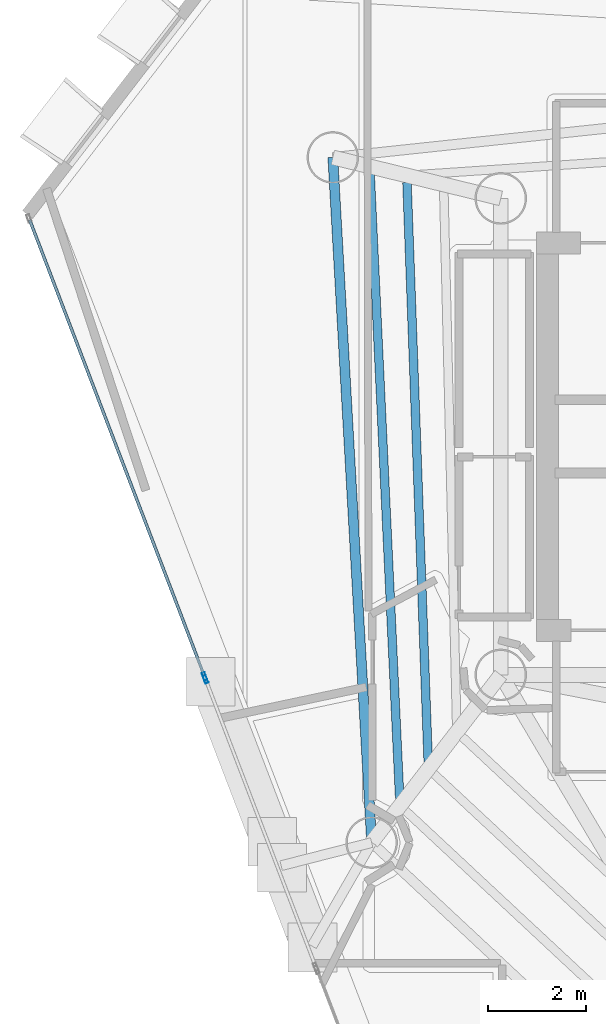
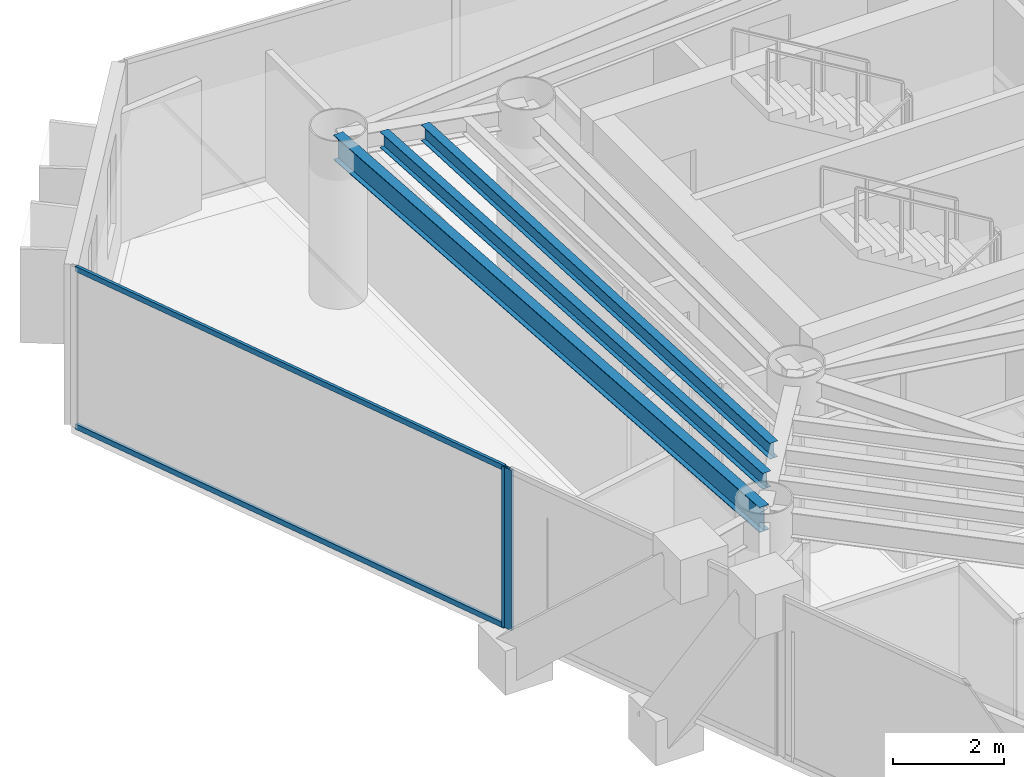
# One storey, part 7 of 20: 4 members, 3 beams, 2 elements without a shape of their own.
"""IFC4 building model written with IfcOpenShell, lengths in metres."""

from ifc_helpers import new_model, si_unit, direction, frame, origin, origin_2d, place, context, subcontext, project, spatial, hollow_rectangle, i_section, extrude, material, layer, layer_set, material_profile, profile_set, type_object, element, aggregate, save


model = new_model("IFC4")

# Units and contexts
model_context = context("Model", 3, precision=1e-05, world=origin(), true_north=direction((0.0, 1.0)))
body_context = subcontext(model_context, "Body", "Model", "MODEL_VIEW")
ifc_project = project(units=[si_unit("LENGTHUNIT", "METRE"), si_unit("AREAUNIT", "SQUARE_METRE"), si_unit("VOLUMEUNIT", "CUBIC_METRE"), si_unit("PLANEANGLEUNIT", "RADIAN"), si_unit("MASSUNIT", "GRAM", prefix="KILO")], contexts=[model_context])

# Site, building, storey
site_placement = place(None, origin())
site = spatial("IfcSite", under=ifc_project, at=site_placement, CompositionType="ELEMENT")
building_placement = place(site_placement, origin())
building = spatial("IfcBuilding", under=site, at=building_placement, Name="Qianvela Tower", CompositionType="ELEMENT")
storey_placement = place(building_placement, frame((0.0, 0.0, 239.0)))
storey = spatial("IfcBuildingStorey", under=building, at=storey_placement, Name="L61", CompositionType="ELEMENT", Elevation=239.0)

# Beams
ifc_material_1 = material(Name="Steel Q355B", Category="steel")
ifc_material_profile_1 = material_profile(ifc_material_1, i_section(OverallWidth=0.175048828125, OverallDepth=0.35009765625, WebThickness=0.007080078125, FlangeThickness=0.010986328125, at=origin_2d()), Name="HN350x175x7x11")
ifc_profile_set_1 = profile_set([ifc_material_profile_1], Name="Steel Q355B")
beam_type_1 = type_object("IfcBeamType", Name="BM-HN350-JOIST", PredefinedType="JOIST", material=ifc_profile_set_1)
beam_1_placement = place(storey_placement, frame((26.69140625, 33.87109375, 3.343017578125), z_axis=(0.036597460417, -0.999330088555, 0.0), x_axis=(0.999330088555, 0.036597460417, 0.0)))
element("IfcBeam", 1, at=beam_1_placement, inside=storey, type_object=beam_type_1, Name="L61 Secondary Composite Floor Joist 3.2", PredefinedType="JOIST", context=body_context, shape_type="SweptSolid", body=[
    extrude(i_section(OverallWidth=0.175048828125, OverallDepth=0.35009765625, WebThickness=0.007080078125, FlangeThickness=0.010986328125, at=origin_2d()), origin(), (0.0, 0.0, 1.0), 11.794189453125),
])
beam_2_placement = place(storey_placement, frame((25.94091796875, 34.0546875, 3.343017578125), z_axis=(0.04729372403, -0.998881025782, 0.0), x_axis=(0.998881025782, 0.04729372403, 0.0)))
element("IfcBeam", 2, at=beam_2_placement, inside=storey, type_object=beam_type_1, Name="L61 Secondary Composite Floor Joist 3.3", PredefinedType="JOIST", context=body_context, shape_type="SweptSolid", body=[
    extrude(i_section(OverallWidth=0.175048828125, OverallDepth=0.35009765625, WebThickness=0.007080078125, FlangeThickness=0.010986328125, at=origin_2d()), origin(), (0.0, 0.0, 1.0), 12.735107421875),
])
ifc_material_2 = material(Name="Steel Q355B", Category="steel")
ifc_material_profile_2 = material_profile(ifc_material_2, i_section(OverallWidth=0.199951171875, OverallDepth=0.550048828125, WebThickness=0.010009765625, FlangeThickness=0.01611328125, at=origin_2d()), Name="HN550x200x10x16")
ifc_profile_set_2 = profile_set([ifc_material_profile_2], Name="Steel Q355B")
beam_type_2 = type_object("IfcBeamType", Name="BM-HN550-GIRD", PredefinedType="BEAM", material=ifc_profile_set_2)
beam_3_placement = place(storey_placement, frame((25.181884765625, 34.384033203125, 3.242919921875), z_axis=(0.056555056691, -0.998399481952, 0.0), x_axis=(0.998399481952, 0.056555056691, 0.0)))
element("IfcBeam", 3, at=beam_3_placement, inside=storey, type_object=beam_type_2, Name="L61 Perimeter Ring Spandrel Girder 3", PredefinedType="BEAM", context=body_context, shape_type="SweptSolid", body=[
    extrude(i_section(OverallWidth=0.199951171875, OverallDepth=0.550048828125, WebThickness=0.010009765625, FlangeThickness=0.01611328125, at=origin_2d()), origin(), (0.0, 0.0, 1.0), 13.969482421875),
])

# Curtain wall, member
ifc_material_3 = material(Name="Anodised Architectural Aluminium and Insulated Spandrel Panel", Category="aluminium")
ifc_layer_1 = layer(ifc_material_3, 0.179931640625)
ifc_layer_set_1 = layer_set([ifc_layer_1], Name="Anodised Architectural Aluminium and Insulated Spandrel Panel")
curtain_wall_type_1 = type_object("IfcCurtainWallType", Name="CW-BRACEBAY", PredefinedType="USERDEFINED", material=ifc_layer_set_1)
curtain_wall_1_placement = place(storey_placement, origin())
curtain_wall_1 = element("IfcCurtainWall", 4, at=curtain_wall_1_placement, inside=storey, type_object=curtain_wall_type_1, Name="L61 CW-BRACEBAY Curtain Wall 04B", ObjectType="CURTAIN_WALL_SYSTEM", PredefinedType="USERDEFINED")
ifc_material_4 = material(Name="Anodised Architectural Aluminium 6063-T6", Category="aluminium")
ifc_material_profile_3 = material_profile(ifc_material_4, hollow_rectangle(XDim=0.06494140625, YDim=0.159912109375, WallThickness=0.0048828125, at=origin_2d()), Name="ALU-MULL-65x160")
ifc_profile_set_3 = profile_set([ifc_material_profile_3], Name="Anodised Architectural Aluminium 6063-T6")
member_type_1 = type_object("IfcMemberType", Name="CW-BRACEBAY-MULL", PredefinedType="MULLION", material=ifc_profile_set_3)
member_1_placement = place(storey_placement, frame((22.5927734375, 23.7587890625, 0.0), z_axis=(0.0, 0.0, 1.0), x_axis=(0.9338317147, 0.357712634135, 0.0)))
member_1 = element("IfcMember", 5, at=member_1_placement, type_object=member_type_1, Name="CW-9 mullion 1", PredefinedType="MULLION", context=body_context, shape_type="SweptSolid", body=[
    extrude(hollow_rectangle(XDim=0.06494140625, YDim=0.159912109375, WallThickness=0.0048828125, at=origin_2d()), origin(), (0.0, 0.0, 1.0), 3.52001953125),
])
aggregate(curtain_wall_1, [member_1])

# Curtain wall, members
ifc_material_5 = material(Name="Anodised Architectural Aluminium and Low-E Glass", Category="aluminium")
ifc_layer_2 = layer(ifc_material_5, 0.159912109375)
ifc_layer_set_2 = layer_set([ifc_layer_2], Name="Anodised Architectural Aluminium and Low-E Glass")
curtain_wall_type_2 = type_object("IfcCurtainWallType", Name="CW-COLIV-Z56", PredefinedType="USERDEFINED", material=ifc_layer_set_2)
curtain_wall_2_placement = place(storey_placement, origin())
curtain_wall_2 = element("IfcCurtainWall", 6, at=curtain_wall_2_placement, inside=storey, type_object=curtain_wall_type_2, Name="L61 CW-COLIV-Z56 Curtain Wall 04A", ObjectType="CURTAIN_WALL_SYSTEM", PredefinedType="USERDEFINED")
ifc_material_6 = material(Name="Anodised Architectural Aluminium 6063-T6", Category="aluminium")
ifc_material_profile_4 = material_profile(ifc_material_6, hollow_rectangle(XDim=0.06494140625, YDim=0.159912109375, WallThickness=0.0048828125, at=origin_2d()), Name="ALU-MULL-65x160")
ifc_profile_set_4 = profile_set([ifc_material_profile_4], Name="Anodised Architectural Aluminium 6063-T6")
member_type_2 = type_object("IfcMemberType", Name="CW-COLIV-Z56-MULL", PredefinedType="MULLION", material=ifc_profile_set_4)
member_2_placement = place(storey_placement, frame((22.569580078125, 23.819580078125, 0.0), z_axis=(0.0, 0.0, 1.0), x_axis=(0.933828677637, 0.357720562482, 0.0)))
member_2 = element("IfcMember", 7, at=member_2_placement, type_object=member_type_2, Name="CW-5 mullion 2", PredefinedType="MULLION", context=body_context, shape_type="SweptSolid", body=[
    extrude(hollow_rectangle(XDim=0.06494140625, YDim=0.159912109375, WallThickness=0.0048828125, at=origin_2d()), origin(), (0.0, 0.0, 1.0), 3.52001953125),
])
ifc_material_7 = material(Name="Anodised Architectural Aluminium 6063-T6", Category="aluminium")
ifc_material_profile_5 = material_profile(ifc_material_7, hollow_rectangle(XDim=0.06005859375, YDim=0.114990234375, WallThickness=0.00390625, at=origin_2d()), Name="ALU-TRAN-60x115")
ifc_profile_set_5 = profile_set([ifc_material_profile_5], Name="Anodised Architectural Aluminium 6063-T6")
member_type_3 = type_object("IfcMemberType", Name="CW-COLIV-Z56-TRAN", PredefinedType="USERDEFINED", material=ifc_profile_set_5)
member_3_placement = place(storey_placement, frame((19.00927734375, 33.113525390625, 0.030029296875), z_axis=(0.357717133685, -0.933829991095, 0.0), x_axis=(0.933829991095, 0.357717133685, 0.0)))
member_3 = element("IfcMember", 8, at=member_3_placement, type_object=member_type_3, Name="CW-5 transom 1.1", ObjectType="TRANSOM", PredefinedType="USERDEFINED", context=body_context, shape_type="SweptSolid", body=[
    extrude(hollow_rectangle(XDim=0.06005859375, YDim=0.114990234375, WallThickness=0.00390625, at=origin_2d()), origin(), (0.0, 0.0, 1.0), 9.920166015625),
])
member_4_placement = place(storey_placement, frame((19.00927734375, 33.113525390625, 3.489990234375), z_axis=(0.357717133685, -0.933829991095, 0.0), x_axis=(0.933829991095, 0.357717133685, 0.0)))
member_4 = element("IfcMember", 9, at=member_4_placement, type_object=member_type_3, Name="CW-5 transom 1.2", ObjectType="TRANSOM", PredefinedType="USERDEFINED", context=body_context, shape_type="SweptSolid", body=[
    extrude(hollow_rectangle(XDim=0.06005859375, YDim=0.114990234375, WallThickness=0.00390625, at=origin_2d()), origin(), (0.0, 0.0, 1.0), 9.920166015625),
])
aggregate(curtain_wall_2, [member_2, member_3, member_4])

save(model, "model.ifc")
